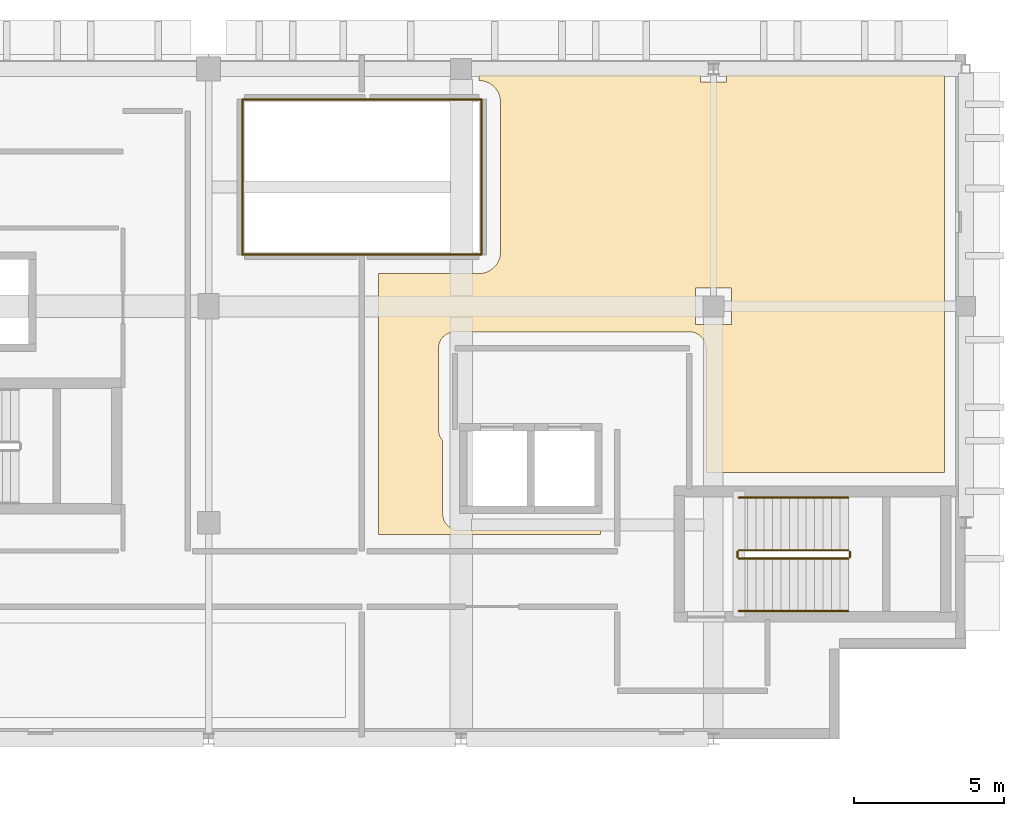
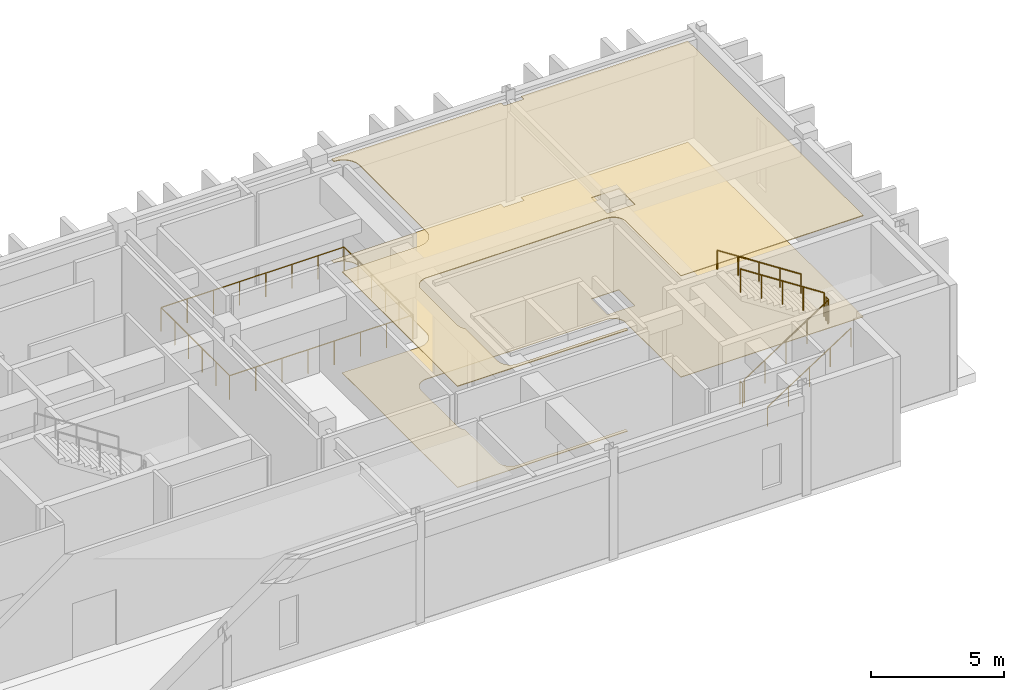
# One storey, part 34 of 34: 10 railings, 2 coverings.
"""IFC4 building model written with IfcOpenShell, lengths in metres."""

from ifc_helpers import new_model, si_unit, direction, frame, origin, origin_2d, place, context, subcontext, project, spatial, polyline, circle, outline, extrude, material, layer, layer_set, type_object, element, save


model = new_model("IFC4")

# Units and contexts
model_context = context("Model", 3, precision=1e-05, world=origin(), true_north=direction((0.0, 1.0)))
body_context = subcontext(model_context, "Body", "Model", "MODEL_VIEW")
ifc_project = project(units=[si_unit("LENGTHUNIT", "METRE"), si_unit("AREAUNIT", "SQUARE_METRE"), si_unit("VOLUMEUNIT", "CUBIC_METRE"), si_unit("PLANEANGLEUNIT", "RADIAN"), si_unit("MASSUNIT", "GRAM", prefix="KILO")], contexts=[model_context])

# Site, building, storey
site_placement = place(None, origin())
site = spatial("IfcSite", under=ifc_project, at=site_placement, CompositionType="ELEMENT")
building_placement = place(site_placement, origin())
building = spatial("IfcBuilding", under=site, at=building_placement, Name="Quendrovan Civic Courthouse", CompositionType="ELEMENT")
storey_placement = place(building_placement, frame((0.0, 0.0, 25.5)))
storey = spatial("IfcBuildingStorey", under=building, at=storey_placement, Name="L06", CompositionType="ELEMENT", Elevation=25.5)

# Coverings
ifc_material_1 = material(Name="Perforated Western Red Cedar and mineral acoustic ceiling")
ifc_layer_1 = layer(ifc_material_1, 0.034912109375, Name="Perforated Western Red Cedar and mineral acoustic ceiling")
ifc_layer_set_1 = layer_set([ifc_layer_1], Name="Perforated Western Red Cedar and mineral acoustic ceiling")
covering_type_1 = type_object("IfcCoveringType", Name="COV-CEIL-ACOUSTIC", PredefinedType="CEILING", material=ifc_layer_set_1)
covering_1_placement = place(storey_placement, frame((0.0, 0.0, 4.64501953125)))
element("IfcCovering", 1, at=covering_1_placement, inside=storey, type_object=covering_type_1, Name="L06 Trial Courtroom Acoustic Ceiling", PredefinedType="CEILING", context=body_context, shape_type="SweptSolid", body=[
    extrude(outline(polyline([(76.812744140625, 103.441650390625), (76.83837890625, 103.489990234375), (76.84521484375, 103.504150390625), (76.865478515625, 103.553466796875), (76.870849609375, 103.568115234375), (76.88671875, 103.6201171875), (76.890380859375, 103.635498046875), (76.90087890625, 103.68798828125), (76.9033203125, 103.70361328125), (76.908447265625, 103.75634765625), (76.9091796875, 103.77197265625), (76.909912109375, 103.800048828125), (76.909912109375, 108.800048828125), (76.9091796875, 108.827880859375), (76.908447265625, 108.84375), (76.9033203125, 108.896484375), (76.90087890625, 108.911865234375), (76.890380859375, 108.964599609375), (76.88671875, 108.979736328125), (76.870849609375, 109.03173828125), (76.865478515625, 109.046630859375), (76.84521484375, 109.095947265625), (76.83837890625, 109.110107421875), (76.812744140625, 109.158447265625), (76.8046875, 109.171875), (76.775390625, 109.215576171875), (76.76611328125, 109.22802734375), (76.729736328125, 109.2724609375), (76.718994140625, 109.2841796875), (76.68408203125, 109.319091796875), (76.672607421875, 109.32958984375), (76.628173828125, 109.3662109375), (76.615478515625, 109.37548828125), (76.572021484375, 109.404541015625), (76.558349609375, 109.41259765625), (76.510009765625, 109.4384765625), (76.495849609375, 109.4453125), (76.446533203125, 109.465576171875), (76.431884765625, 109.470947265625), (76.3798828125, 109.48681640625), (76.364501953125, 109.490478515625), (76.31201171875, 109.5009765625), (76.29638671875, 109.503173828125), (76.24365234375, 109.508544921875), (76.22802734375, 109.50927734375), (76.199951171875, 109.510009765625), (76.199951171875, 109.510009765625), (76.199951171875, 109.68994140625), (83.56298828125, 109.68994140625), (83.56298828125, 109.464111328125), (84.43701171875, 109.464111328125), (84.43701171875, 109.68994140625), (91.68994140625, 109.68994140625), (91.68994140625, 96.469970703125), (83.75, 96.469970703125), (83.75, 100.60009765625), (83.747314453125, 100.65380859375), (83.739501953125, 100.707275390625), (83.726318359375, 100.759765625), (83.7080078125, 100.810546875), (83.68505859375, 100.859375), (83.6572265625, 100.905517578125), (83.625244140625, 100.948974609375), (83.5888671875, 100.989013671875), (83.548828125, 101.025146484375), (83.505615234375, 101.057373046875), (83.459228515625, 101.085205078125), (83.410400390625, 101.108154296875), (83.359619140625, 101.126220703125), (83.307373046875, 101.139404296875), (83.25390625, 101.1474609375), (83.199951171875, 101.14990234375), (75.39990234375, 101.14990234375), (75.34619140625, 101.1474609375), (75.292724609375, 101.139404296875), (75.240234375, 101.126220703125), (75.189453125, 101.108154296875), (75.140625, 101.085205078125), (75.094482421875, 101.057373046875), (75.051025390625, 101.025146484375), (75.010986328125, 100.989013671875), (74.974853515625, 100.948974609375), (74.942626953125, 100.905517578125), (74.914794921875, 100.859375), (74.891845703125, 100.810546875), (74.873779296875, 100.759765625), (74.860595703125, 100.707275390625), (74.8525390625, 100.65380859375), (74.85009765625, 100.60009765625), (74.85009765625, 97.89990234375), (74.8525390625, 97.84619140625), (74.860595703125, 97.792724609375), (74.873779296875, 97.740234375), (74.891845703125, 97.689453125), (74.914794921875, 97.640625), (74.942626953125, 97.594482421875), (74.974853515625, 97.551025390625), (74.989990234375, 97.534423828125), (74.989990234375, 95.090087890625), (74.99267578125, 95.0361328125), (75.00048828125, 94.982666015625), (75.013671875, 94.930419921875), (75.031982421875, 94.87939453125), (75.054931640625, 94.830810546875), (75.082763671875, 94.784423828125), (75.11474609375, 94.7412109375), (75.151123046875, 94.701171875), (75.191162109375, 94.664794921875), (75.234375, 94.6328125), (75.28076171875, 94.60498046875), (75.32958984375, 94.581787109375), (75.38037109375, 94.563720703125), (75.4326171875, 94.550537109375), (75.486083984375, 94.54248046875), (75.5400390625, 94.5400390625), (80.25, 94.5400390625), (80.25, 94.39990234375), (72.85009765625, 94.39990234375), (72.85009765625, 103.090087890625), (76.199951171875, 103.090087890625), (76.22802734375, 103.0908203125), (76.24365234375, 103.091552734375), (76.29638671875, 103.0966796875), (76.31201171875, 103.09912109375), (76.364501953125, 103.109619140625), (76.3798828125, 103.11328125), (76.431884765625, 103.129150390625), (76.446533203125, 103.134521484375), (76.495849609375, 103.15478515625), (76.510009765625, 103.16162109375), (76.558349609375, 103.187255859375), (76.572021484375, 103.1953125), (76.615478515625, 103.224609375), (76.628173828125, 103.23388671875), (76.672607421875, 103.270263671875), (76.68408203125, 103.281005859375), (76.718994140625, 103.31591796875), (76.729736328125, 103.327392578125), (76.76611328125, 103.371826171875), (76.775390625, 103.384521484375), (76.8046875, 103.427978515625), (76.812744140625, 103.441650390625)]), holes=[polyline([(84.60009765625, 102.60009765625), (83.39990234375, 102.60009765625), (83.39990234375, 101.39990234375), (84.60009765625, 101.39990234375), (84.60009765625, 102.60009765625)])]), origin(), (0.0, 0.0, 1.0), 0.034912109375),
])
ifc_material_2 = material(Name="Solid oak courtroom parquet flooring")
ifc_layer_2 = layer(ifc_material_2, 0.02490234375, Name="Solid oak courtroom parquet flooring")
ifc_layer_set_2 = layer_set([ifc_layer_2], Name="Solid oak courtroom parquet flooring")
covering_type_2 = type_object("IfcCoveringType", Name="COV-FLOR-TIMBER", PredefinedType="FLOORING", material=ifc_layer_set_2)
covering_2_placement = place(storey_placement, origin())
element("IfcCovering", 2, at=covering_2_placement, inside=storey, type_object=covering_type_2, Name="L06 Trial Courtroom Finish Flooring", PredefinedType="FLOORING", context=body_context, shape_type="SweptSolid", body=[
    extrude(outline(polyline([(76.812744140625, 103.441650390625), (76.83837890625, 103.489990234375), (76.84521484375, 103.504150390625), (76.865478515625, 103.553466796875), (76.870849609375, 103.568115234375), (76.88671875, 103.6201171875), (76.890380859375, 103.635498046875), (76.90087890625, 103.68798828125), (76.9033203125, 103.70361328125), (76.908447265625, 103.75634765625), (76.9091796875, 103.77197265625), (76.909912109375, 103.800048828125), (76.909912109375, 108.800048828125), (76.9091796875, 108.827880859375), (76.908447265625, 108.84375), (76.9033203125, 108.896484375), (76.90087890625, 108.911865234375), (76.890380859375, 108.964599609375), (76.88671875, 108.979736328125), (76.870849609375, 109.03173828125), (76.865478515625, 109.046630859375), (76.84521484375, 109.095947265625), (76.83837890625, 109.110107421875), (76.812744140625, 109.158447265625), (76.8046875, 109.171875), (76.775390625, 109.215576171875), (76.76611328125, 109.22802734375), (76.729736328125, 109.2724609375), (76.718994140625, 109.2841796875), (76.68408203125, 109.319091796875), (76.672607421875, 109.32958984375), (76.628173828125, 109.3662109375), (76.615478515625, 109.37548828125), (76.572021484375, 109.404541015625), (76.558349609375, 109.41259765625), (76.510009765625, 109.4384765625), (76.495849609375, 109.4453125), (76.446533203125, 109.465576171875), (76.431884765625, 109.470947265625), (76.3798828125, 109.48681640625), (76.364501953125, 109.490478515625), (76.31201171875, 109.5009765625), (76.29638671875, 109.503173828125), (76.24365234375, 109.508544921875), (76.22802734375, 109.50927734375), (76.199951171875, 109.510009765625), (76.199951171875, 109.510009765625), (76.199951171875, 109.68994140625), (83.56298828125, 109.68994140625), (83.56298828125, 109.464111328125), (84.43701171875, 109.464111328125), (84.43701171875, 109.68994140625), (91.68994140625, 109.68994140625), (91.68994140625, 96.469970703125), (83.75, 96.469970703125), (83.75, 100.60009765625), (83.747314453125, 100.65380859375), (83.739501953125, 100.707275390625), (83.726318359375, 100.759765625), (83.7080078125, 100.810546875), (83.68505859375, 100.859375), (83.6572265625, 100.905517578125), (83.625244140625, 100.948974609375), (83.5888671875, 100.989013671875), (83.548828125, 101.025146484375), (83.505615234375, 101.057373046875), (83.459228515625, 101.085205078125), (83.410400390625, 101.108154296875), (83.359619140625, 101.126220703125), (83.307373046875, 101.139404296875), (83.25390625, 101.1474609375), (83.199951171875, 101.14990234375), (75.39990234375, 101.14990234375), (75.34619140625, 101.1474609375), (75.292724609375, 101.139404296875), (75.240234375, 101.126220703125), (75.189453125, 101.108154296875), (75.140625, 101.085205078125), (75.094482421875, 101.057373046875), (75.051025390625, 101.025146484375), (75.010986328125, 100.989013671875), (74.974853515625, 100.948974609375), (74.942626953125, 100.905517578125), (74.914794921875, 100.859375), (74.891845703125, 100.810546875), (74.873779296875, 100.759765625), (74.860595703125, 100.707275390625), (74.8525390625, 100.65380859375), (74.85009765625, 100.60009765625), (74.85009765625, 97.89990234375), (74.8525390625, 97.84619140625), (74.860595703125, 97.792724609375), (74.873779296875, 97.740234375), (74.891845703125, 97.689453125), (74.914794921875, 97.640625), (74.942626953125, 97.594482421875), (74.974853515625, 97.551025390625), (74.989990234375, 97.534423828125), (74.989990234375, 95.090087890625), (74.99267578125, 95.0361328125), (75.00048828125, 94.982666015625), (75.013671875, 94.930419921875), (75.031982421875, 94.87939453125), (75.054931640625, 94.830810546875), (75.082763671875, 94.784423828125), (75.11474609375, 94.7412109375), (75.151123046875, 94.701171875), (75.191162109375, 94.664794921875), (75.234375, 94.6328125), (75.28076171875, 94.60498046875), (75.32958984375, 94.581787109375), (75.38037109375, 94.563720703125), (75.4326171875, 94.550537109375), (75.486083984375, 94.54248046875), (75.5400390625, 94.5400390625), (80.25, 94.5400390625), (80.25, 94.39990234375), (72.85009765625, 94.39990234375), (72.85009765625, 103.090087890625), (76.199951171875, 103.090087890625), (76.22802734375, 103.0908203125), (76.24365234375, 103.091552734375), (76.29638671875, 103.0966796875), (76.31201171875, 103.09912109375), (76.364501953125, 103.109619140625), (76.3798828125, 103.11328125), (76.431884765625, 103.129150390625), (76.446533203125, 103.134521484375), (76.495849609375, 103.15478515625), (76.510009765625, 103.16162109375), (76.558349609375, 103.187255859375), (76.572021484375, 103.1953125), (76.615478515625, 103.224609375), (76.628173828125, 103.23388671875), (76.672607421875, 103.270263671875), (76.68408203125, 103.281005859375), (76.718994140625, 103.31591796875), (76.729736328125, 103.327392578125), (76.76611328125, 103.371826171875), (76.775390625, 103.384521484375), (76.8046875, 103.427978515625), (76.812744140625, 103.441650390625)]), holes=[polyline([(84.60009765625, 102.60009765625), (83.39990234375, 102.60009765625), (83.39990234375, 101.39990234375), (84.60009765625, 101.39990234375), (84.60009765625, 102.60009765625)])]), origin(), (0.0, 0.0, 1.0), 0.02490234375),
])

# Railings
ifc_material_3 = material(Name="Bronze anodised aluminium", Category="aluminium")
railing_type_1 = type_object("IfcRailingType", Name="RL-ATR-GUARD1100", PredefinedType="GUARDRAIL", material=ifc_material_3)
railing_1_placement = place(storey_placement, frame((68.320068359375, 103.719970703125, 0.0)))
element("IfcRailing", 3, at=railing_1_placement, inside=storey, type_object=railing_type_1, Name="L06 Atrium and Well Perimeter Guardrail 032", PredefinedType="GUARDRAIL", context=body_context, shape_type="SweptSolid", body=[
    extrude(circle(Radius=0.02392578125, at=origin_2d()), frame((0.0, 0.0, 1.09619140625), z_axis=(1.0, 0.0, 0.0), x_axis=(0.0, 1.0, 0.0)), (0.0, 0.0, 1.0), 7.9599609375),
    extrude(circle(Radius=0.02099609375, at=origin_2d()), origin(), (0.0, 0.0, 1.0), 1.072021484375),
    extrude(circle(Radius=0.02099609375, at=origin_2d()), frame((1.13720703125, 0.0, 0.0)), (0.0, 0.0, 1.0), 1.072021484375),
    extrude(circle(Radius=0.02099609375, at=origin_2d()), frame((2.274169921875, 0.0, 0.0)), (0.0, 0.0, 1.0), 1.072021484375),
    extrude(circle(Radius=0.02099609375, at=origin_2d()), frame((3.411376953125, 0.0, 0.0)), (0.0, 0.0, 1.0), 1.072021484375),
    extrude(circle(Radius=0.02099609375, at=origin_2d()), frame((4.548583984375, 0.0, 0.0)), (0.0, 0.0, 1.0), 1.072021484375),
    extrude(circle(Radius=0.02099609375, at=origin_2d()), frame((5.685791015625, 0.0, 0.0)), (0.0, 0.0, 1.0), 1.072021484375),
    extrude(circle(Radius=0.02099609375, at=origin_2d()), frame((6.82275390625, 0.0, 0.0)), (0.0, 0.0, 1.0), 1.072021484375),
    extrude(circle(Radius=0.02099609375, at=origin_2d()), frame((7.9599609375, 0.0, 0.0)), (0.0, 0.0, 1.0), 1.072021484375),
])
railing_2_placement = place(storey_placement, frame((76.280029296875, 103.719970703125, 0.0)))
element("IfcRailing", 4, at=railing_2_placement, inside=storey, type_object=railing_type_1, Name="L06 Atrium and Well Perimeter Guardrail 033", PredefinedType="GUARDRAIL", context=body_context, shape_type="SweptSolid", body=[
    extrude(circle(Radius=0.02392578125, at=origin_2d()), frame((0.0, 0.0, 1.09619140625), z_axis=(0.0, 1.0, 0.0), x_axis=(-1.0, 0.0, 0.0)), (0.0, 0.0, 1.0), 5.159912109375),
    extrude(circle(Radius=0.02099609375, at=origin_2d()), origin(), (0.0, 0.0, 1.0), 1.072021484375),
    extrude(circle(Radius=0.02099609375, at=origin_2d()), frame((0.0, 1.031982421875, 0.0)), (0.0, 0.0, 1.0), 1.072021484375),
    extrude(circle(Radius=0.02099609375, at=origin_2d()), frame((0.0, 2.06396484375, 0.0)), (0.0, 0.0, 1.0), 1.072021484375),
    extrude(circle(Radius=0.02099609375, at=origin_2d()), frame((0.0, 3.095947265625, 0.0)), (0.0, 0.0, 1.0), 1.072021484375),
    extrude(circle(Radius=0.02099609375, at=origin_2d()), frame((0.0, 4.1279296875, 0.0)), (0.0, 0.0, 1.0), 1.072021484375),
    extrude(circle(Radius=0.02099609375, at=origin_2d()), frame((0.0, 5.159912109375, 0.0)), (0.0, 0.0, 1.0), 1.072021484375),
])
railing_3_placement = place(storey_placement, frame((76.280029296875, 108.8798828125, 0.0)))
element("IfcRailing", 5, at=railing_3_placement, inside=storey, type_object=railing_type_1, Name="L06 Atrium and Well Perimeter Guardrail 034", PredefinedType="GUARDRAIL", context=body_context, shape_type="SweptSolid", body=[
    extrude(circle(Radius=0.02392578125, at=origin_2d()), frame((0.0, 0.0, 1.09619140625), z_axis=(-1.0, 0.0, 0.0), x_axis=(0.0, -1.0, 0.0)), (0.0, 0.0, 1.0), 7.9599609375),
    extrude(circle(Radius=0.02099609375, at=origin_2d()), origin(), (0.0, 0.0, 1.0), 1.072021484375),
    extrude(circle(Radius=0.02099609375, at=origin_2d()), frame((-1.13720703125, 0.0, 0.0)), (0.0, 0.0, 1.0), 1.072021484375),
    extrude(circle(Radius=0.02099609375, at=origin_2d()), frame((-2.274169921875, 0.0, 0.0)), (0.0, 0.0, 1.0), 1.072021484375),
    extrude(circle(Radius=0.02099609375, at=origin_2d()), frame((-3.411376953125, 0.0, 0.0)), (0.0, 0.0, 1.0), 1.072021484375),
    extrude(circle(Radius=0.02099609375, at=origin_2d()), frame((-4.548583984375, 0.0, 0.0)), (0.0, 0.0, 1.0), 1.072021484375),
    extrude(circle(Radius=0.02099609375, at=origin_2d()), frame((-5.685791015625, 0.0, 0.0)), (0.0, 0.0, 1.0), 1.072021484375),
    extrude(circle(Radius=0.02099609375, at=origin_2d()), frame((-6.82275390625, 0.0, 0.0)), (0.0, 0.0, 1.0), 1.072021484375),
    extrude(circle(Radius=0.02099609375, at=origin_2d()), frame((-7.9599609375, 0.0, 0.0)), (0.0, 0.0, 1.0), 1.072021484375),
])
railing_4_placement = place(storey_placement, frame((68.320068359375, 108.8798828125, 0.0)))
element("IfcRailing", 6, at=railing_4_placement, inside=storey, type_object=railing_type_1, Name="L06 Atrium and Well Perimeter Guardrail 035", PredefinedType="GUARDRAIL", context=body_context, shape_type="SweptSolid", body=[
    extrude(circle(Radius=0.02392578125, at=origin_2d()), frame((0.0, 0.0, 1.09619140625), z_axis=(0.0, -1.0, 0.0), x_axis=(1.0, 0.0, 0.0)), (0.0, 0.0, 1.0), 5.159912109375),
    extrude(circle(Radius=0.02099609375, at=origin_2d()), origin(), (0.0, 0.0, 1.0), 1.072021484375),
    extrude(circle(Radius=0.02099609375, at=origin_2d()), frame((0.0, -1.031982421875, 0.0)), (0.0, 0.0, 1.0), 1.072021484375),
    extrude(circle(Radius=0.02099609375, at=origin_2d()), frame((0.0, -2.06396484375, 0.0)), (0.0, 0.0, 1.0), 1.072021484375),
    extrude(circle(Radius=0.02099609375, at=origin_2d()), frame((0.0, -3.095947265625, 0.0)), (0.0, 0.0, 1.0), 1.072021484375),
    extrude(circle(Radius=0.02099609375, at=origin_2d()), frame((0.0, -4.1279296875, 0.0)), (0.0, 0.0, 1.0), 1.072021484375),
    extrude(circle(Radius=0.02099609375, at=origin_2d()), frame((0.0, -5.159912109375, 0.0)), (0.0, 0.0, 1.0), 1.072021484375),
])
ifc_material_4 = material(Name="Painted galvanized steel", Category="steel")
railing_type_2 = type_object("IfcRailingType", Name="RL-STR-GUARD1100", PredefinedType="GUARDRAIL", material=ifc_material_4)
railing_5_placement = place(storey_placement, frame((84.85009765625, 93.60009765625, 0.18212890625)))
element("IfcRailing", 7, at=railing_5_placement, inside=storey, type_object=railing_type_2, Name="L06 ST3 stair guard 1", PredefinedType="GUARDRAIL", context=body_context, shape_type="SweptSolid", body=[
    extrude(circle(Radius=0.02392578125, at=origin_2d()), frame((0.0, 0.0, 1.076171875), z_axis=(0.838234174257, 0.0, 0.545310433706), x_axis=(0.0, 1.0, 0.0)), (0.0, 0.0, 1.0), 4.34228515625),
    extrude(circle(Radius=0.02099609375, at=origin_2d()), origin(), (0.0, 0.0, 1.0), 1.052001953125),
    extrude(circle(Radius=0.02099609375, at=origin_2d()), frame((0.909912109375, 0.0, 0.592041015625)), (0.0, 0.0, 1.0), 1.052001953125),
    extrude(circle(Radius=0.02099609375, at=origin_2d()), frame((1.81982421875, 0.0, 1.18408203125)), (0.0, 0.0, 1.0), 1.052001953125),
    extrude(circle(Radius=0.02099609375, at=origin_2d()), frame((2.72998046875, 0.0, 1.77587890625)), (0.0, 0.0, 1.0), 1.052001953125),
    extrude(circle(Radius=0.02099609375, at=origin_2d()), frame((3.639892578125, 0.0, 2.367919921875)), (0.0, 0.0, 1.0), 1.052001953125),
])
railing_6_placement = place(storey_placement, frame((88.5400390625, 93.64990234375, 2.550048828125)))
element("IfcRailing", 8, at=railing_6_placement, inside=storey, type_object=railing_type_2, Name="L06 ST3 stair guard 2", PredefinedType="GUARDRAIL", context=body_context, shape_type="SweptSolid", body=[
    extrude(circle(Radius=0.02392578125, at=origin_2d()), frame((0.0, 0.0, 1.076171875), z_axis=(0.0, 1.0, 0.0), x_axis=(-1.0, 0.0, 0.0)), (0.0, 0.0, 1.0), 0.18017578125),
    extrude(circle(Radius=0.02099609375, at=origin_2d()), origin(), (0.0, 0.0, 1.0), 1.052001953125),
    extrude(circle(Radius=0.02099609375, at=origin_2d()), frame((0.0, 0.18017578125, 0.0)), (0.0, 0.0, 1.0), 1.052001953125),
])
railing_7_placement = place(storey_placement, frame((88.489990234375, 93.8798828125, 2.732177734375)))
element("IfcRailing", 9, at=railing_7_placement, inside=storey, type_object=railing_type_2, Name="L06 ST3 stair guard 3", PredefinedType="GUARDRAIL", context=body_context, shape_type="SweptSolid", body=[
    extrude(circle(Radius=0.02392578125, at=origin_2d()), frame((0.0, 0.0, 1.076171875), z_axis=(-0.838234174257, 0.0, 0.545310433706), x_axis=(0.0, -1.0, 0.0)), (0.0, 0.0, 1.0), 4.34228515625),
    extrude(circle(Radius=0.02099609375, at=origin_2d()), origin(), (0.0, 0.0, 1.0), 1.052001953125),
    extrude(circle(Radius=0.02099609375, at=origin_2d()), frame((-0.909912109375, 0.0, 0.592041015625)), (0.0, 0.0, 1.0), 1.052001953125),
    extrude(circle(Radius=0.02099609375, at=origin_2d()), frame((-1.81982421875, 0.0, 1.18408203125)), (0.0, 0.0, 1.0), 1.052001953125),
    extrude(circle(Radius=0.02099609375, at=origin_2d()), frame((-2.72998046875, 0.0, 1.77587890625)), (0.0, 0.0, 1.0), 1.052001953125),
    extrude(circle(Radius=0.02099609375, at=origin_2d()), frame((-3.639892578125, 0.0, 2.367919921875)), (0.0, 0.0, 1.0), 1.052001953125),
])
railing_8_placement = place(storey_placement, frame((84.800048828125, 93.64990234375, 0.0)))
element("IfcRailing", 10, at=railing_8_placement, inside=storey, type_object=railing_type_2, Name="L06 ST3 stair guard 4", PredefinedType="GUARDRAIL", context=body_context, shape_type="SweptSolid", body=[
    extrude(circle(Radius=0.02392578125, at=origin_2d()), frame((0.0, 0.0, 1.076171875), z_axis=(0.0, 1.0, 0.0), x_axis=(-1.0, 0.0, 0.0)), (0.0, 0.0, 1.0), 0.18017578125),
    extrude(circle(Radius=0.02099609375, at=origin_2d()), origin(), (0.0, 0.0, 1.0), 1.052001953125),
    extrude(circle(Radius=0.02099609375, at=origin_2d()), frame((0.0, 0.18017578125, 0.0)), (0.0, 0.0, 1.0), 1.052001953125),
])
railing_type_3 = type_object("IfcRailingType", Name="RL-STR-HAND900", PredefinedType="HANDRAIL", material=ifc_material_3)
railing_9_placement = place(storey_placement, frame((84.85009765625, 91.85009765625, 0.18212890625)))
element("IfcRailing", 11, at=railing_9_placement, inside=storey, type_object=railing_type_3, Name="L06 ST3 stair handrail 1", PredefinedType="HANDRAIL", context=body_context, shape_type="SweptSolid", body=[
    extrude(circle(Radius=0.02392578125, at=origin_2d()), frame((0.0, 0.0, 0.8759765625), z_axis=(0.838234174257, 0.0, 0.545310433706), x_axis=(0.0, 1.0, 0.0)), (0.0, 0.0, 1.0), 4.34228515625),
    extrude(circle(Radius=0.02099609375, at=origin_2d()), origin(), (0.0, 0.0, 1.0), 0.851806640625),
    extrude(circle(Radius=0.02099609375, at=origin_2d()), frame((0.909912109375, 0.0, 0.592041015625)), (0.0, 0.0, 1.0), 0.851806640625),
    extrude(circle(Radius=0.02099609375, at=origin_2d()), frame((1.81982421875, 0.0, 1.18408203125)), (0.0, 0.0, 1.0), 0.851806640625),
    extrude(circle(Radius=0.02099609375, at=origin_2d()), frame((2.72998046875, 0.0, 1.77587890625)), (0.0, 0.0, 1.0), 0.851806640625),
    extrude(circle(Radius=0.02099609375, at=origin_2d()), frame((3.639892578125, 0.0, 2.367919921875)), (0.0, 0.0, 1.0), 0.851806640625),
])
railing_10_placement = place(storey_placement, frame((88.489990234375, 95.6298828125, 2.732177734375)))
element("IfcRailing", 12, at=railing_10_placement, inside=storey, type_object=railing_type_3, Name="L06 ST3 stair handrail 2", PredefinedType="HANDRAIL", context=body_context, shape_type="SweptSolid", body=[
    extrude(circle(Radius=0.02392578125, at=origin_2d()), frame((0.0, 0.0, 0.8759765625), z_axis=(-0.838234174257, 0.0, 0.545310433706), x_axis=(0.0, -1.0, 0.0)), (0.0, 0.0, 1.0), 4.34228515625),
    extrude(circle(Radius=0.02099609375, at=origin_2d()), origin(), (0.0, 0.0, 1.0), 0.851806640625),
    extrude(circle(Radius=0.02099609375, at=origin_2d()), frame((-0.909912109375, 0.0, 0.592041015625)), (0.0, 0.0, 1.0), 0.851806640625),
    extrude(circle(Radius=0.02099609375, at=origin_2d()), frame((-1.81982421875, 0.0, 1.18408203125)), (0.0, 0.0, 1.0), 0.851806640625),
    extrude(circle(Radius=0.02099609375, at=origin_2d()), frame((-2.72998046875, 0.0, 1.77587890625)), (0.0, 0.0, 1.0), 0.851806640625),
    extrude(circle(Radius=0.02099609375, at=origin_2d()), frame((-3.639892578125, 0.0, 2.367919921875)), (0.0, 0.0, 1.0), 0.851806640625),
])

save(model, "model.ifc")
